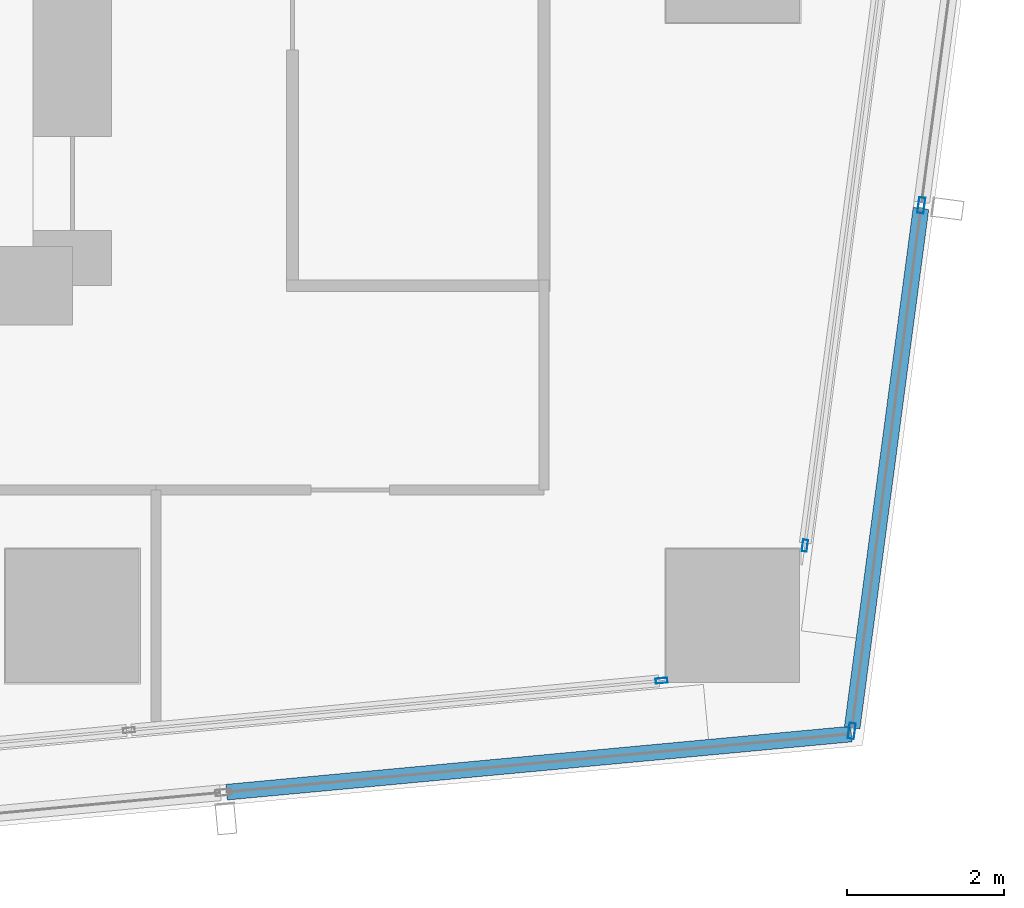
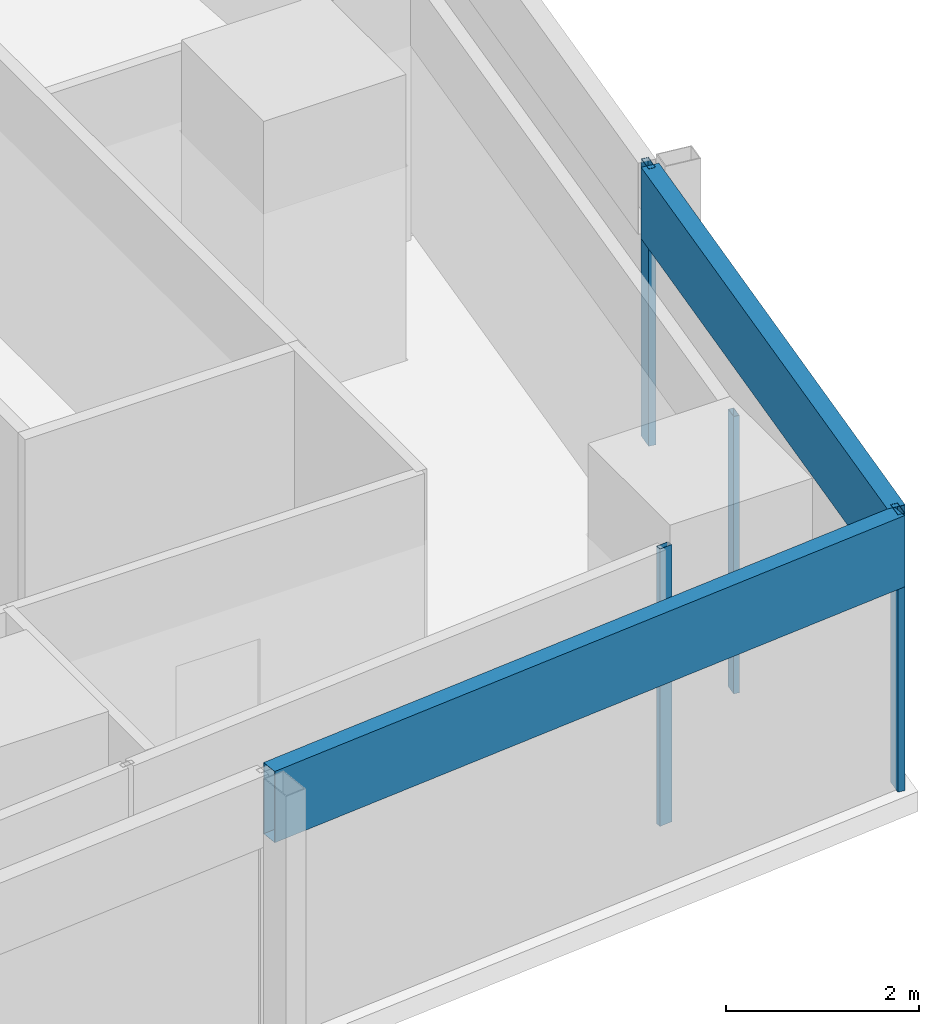
# One storey, part 12 of 39: 6 members, 4 elements without a shape of their own.
"""IFC4 building model written with IfcOpenShell, lengths in metres."""

from ifc_helpers import new_model, si_unit, direction, frame, origin, origin_2d, place, context, subcontext, project, spatial, hollow_rectangle, extrude, material, material_profile, profile_set, type_object, element, aggregate, save


model = new_model("IFC4")

# Units and contexts
model_context = context("Model", 3, precision=1e-05, world=origin(), true_north=direction((0.0, 1.0)))
body_context = subcontext(model_context, "Body", "Model", "MODEL_VIEW")
ifc_project = project(units=[si_unit("LENGTHUNIT", "METRE"), si_unit("AREAUNIT", "SQUARE_METRE"), si_unit("VOLUMEUNIT", "CUBIC_METRE"), si_unit("PLANEANGLEUNIT", "RADIAN"), si_unit("MASSUNIT", "GRAM", prefix="KILO")], contexts=[model_context])

# Site, building, storey
site_placement = place(None, origin())
site = spatial("IfcSite", under=ifc_project, at=site_placement, CompositionType="ELEMENT")
building_placement = place(site_placement, origin())
building = spatial("IfcBuilding", under=site, at=building_placement, Name="Rekha Terrace Tower", CompositionType="ELEMENT")
storey_placement = place(building_placement, frame((0.0, 0.0, 183.949951171875)))
storey = spatial("IfcBuildingStorey", under=building, at=storey_placement, Name="L46", CompositionType="ELEMENT", Elevation=183.949951171875)

# Curtain wall, member
ifc_material_1 = material(Name="Aluminium framing", Category="aluminium")
curtain_wall_type_1 = type_object("IfcCurtainWallType", Name="CW1 double skin inner glazing", PredefinedType="USERDEFINED", material=ifc_material_1)
curtain_wall_1_placement = place(storey_placement, origin())
curtain_wall_1 = element("IfcCurtainWall", 1, at=curtain_wall_1_placement, inside=storey, type_object=curtain_wall_type_1, Name="CW1 double skin inner glazing", ObjectType="DOUBLE SKIN INNER GLAZING", PredefinedType="USERDEFINED")
ifc_material_2 = material(Name="Aluminium mullion section", Category="aluminium")
ifc_material_profile_1 = material_profile(ifc_material_2, hollow_rectangle(XDim=0.06494140625, YDim=0.14990234375, WallThickness=0.00390625, at=origin_2d()), Name="AL RHS 65x150")
ifc_profile_set_1 = profile_set([ifc_material_profile_1], Name="Aluminium mullion section")
member_type_1 = type_object("IfcMemberType", Name="CW1 mullion RHS 65 x 150", PredefinedType="MULLION", material=ifc_profile_set_1)
member_1_placement = place(storey_placement, frame((57.894775390625, 15.9765625, 0.0), z_axis=(0.0, 0.0, 1.0), x_axis=(-0.092708869529, 0.995693258745, 0.0)))
member_1 = element("IfcMember", 2, at=member_1_placement, type_object=member_type_1, Name="CW1 mullion 3", PredefinedType="MULLION", context=body_context, shape_type="SweptSolid", body=[
    extrude(hollow_rectangle(XDim=0.06494140625, YDim=0.14990234375, WallThickness=0.00390625, at=origin_2d()), origin(), (0.0, 0.0, 1.0), 3.5),
])
aggregate(curtain_wall_1, [member_1])

curtain_wall_2_placement = place(storey_placement, origin())
curtain_wall_2 = element("IfcCurtainWall", 3, at=curtain_wall_2_placement, inside=storey, type_object=curtain_wall_type_1, Name="CW1 double skin inner glazing", ObjectType="DOUBLE SKIN INNER GLAZING", PredefinedType="USERDEFINED")
member_2_placement = place(storey_placement, frame((59.7177734375, 17.694091796875, 0.0), z_axis=(0.0, 0.0, 1.0), x_axis=(-0.991342203194, 0.131303603023, 0.0)))
member_2 = element("IfcMember", 4, at=member_2_placement, type_object=member_type_1, Name="CW1 mullion 1", PredefinedType="MULLION", context=body_context, shape_type="SweptSolid", body=[
    extrude(hollow_rectangle(XDim=0.06494140625, YDim=0.14990234375, WallThickness=0.00390625, at=origin_2d()), origin(), (0.0, 0.0, 1.0), 3.5),
])
aggregate(curtain_wall_2, [member_2])

# Curtain wall, members
curtain_wall_type_2 = type_object("IfcCurtainWallType", Name="CW2 double skin outer glazing", PredefinedType="USERDEFINED", material=ifc_material_1)
curtain_wall_3_placement = place(storey_placement, origin())
curtain_wall_3 = element("IfcCurtainWall", 5, at=curtain_wall_3_placement, inside=storey, type_object=curtain_wall_type_2, Name="CW2 double skin outer glazing", ObjectType="DOUBLE SKIN OUTER GLAZING", PredefinedType="USERDEFINED")
ifc_material_profile_2 = material_profile(ifc_material_2, hollow_rectangle(XDim=0.080078125, YDim=0.199951171875, WallThickness=0.00390625, at=origin_2d()), Name="AL RHS 80x200")
ifc_profile_set_2 = profile_set([ifc_material_profile_2], Name="Aluminium mullion section")
member_type_2 = type_object("IfcMemberType", Name="CW2 mullion RHS 80 x 200", PredefinedType="MULLION", material=ifc_profile_set_2)
member_3_placement = place(storey_placement, frame((60.3134765625, 15.337158203125, 0.0), z_axis=(0.0, 0.0, 1.0), x_axis=(-0.991342203187, 0.131303603075, 0.0)))
member_3 = element("IfcMember", 6, at=member_3_placement, type_object=member_type_2, Name="CW2 mullion 1", PredefinedType="MULLION", context=body_context, shape_type="SweptSolid", body=[
    extrude(hollow_rectangle(XDim=0.080078125, YDim=0.199951171875, WallThickness=0.00390625, at=origin_2d()), origin(), (0.0, 0.0, 1.0), 3.5),
])
member_4_placement = place(storey_placement, frame((61.19873046875, 22.021728515625, 0.0), z_axis=(0.0, 0.0, 1.0), x_axis=(-0.991342203187, 0.131303603075, 0.0)))
member_4 = element("IfcMember", 7, at=member_4_placement, type_object=member_type_2, Name="CW2 mullion 2", PredefinedType="MULLION", context=body_context, shape_type="SweptSolid", body=[
    extrude(hollow_rectangle(XDim=0.080078125, YDim=0.199951171875, WallThickness=0.00390625, at=origin_2d()), origin(), (0.0, 0.0, 1.0), 3.5),
])

# Curtain wall, member
curtain_wall_4_placement = place(storey_placement, origin())
curtain_wall_4 = element("IfcCurtainWall", 8, at=curtain_wall_4_placement, inside=storey, type_object=curtain_wall_type_2, Name="CW2 double skin outer glazing", ObjectType="DOUBLE SKIN OUTER GLAZING", PredefinedType="USERDEFINED")
ifc_material_3 = material(Name="Insulated aluminium spandrel box", Category="aluminium")
ifc_material_profile_3 = material_profile(ifc_material_3, hollow_rectangle(XDim=0.199951171875, YDim=0.89990234375, WallThickness=0.0029296875, at=origin_2d()), Name="AL SPANDREL BOX 200x900")
ifc_profile_set_3 = profile_set([ifc_material_profile_3], Name="Insulated aluminium spandrel box")
member_type_3 = type_object("IfcMemberType", Name="CW2 spandrel transom 200 x 900", PredefinedType="USERDEFINED", material=ifc_profile_set_3)
member_5_placement = place(storey_placement, frame((52.36181640625, 14.5576171875, 3.050048828125), z_axis=(0.99569478362, 0.092692490917, 0.0), x_axis=(-0.092692490917, 0.99569478362, 0.0)))
member_5 = element("IfcMember", 9, at=member_5_placement, type_object=member_type_3, Name="CW2 spandrel transom 2", ObjectType="TRANSOM", PredefinedType="USERDEFINED", context=body_context, shape_type="SweptSolid", body=[
    extrude(hollow_rectangle(XDim=0.199951171875, YDim=0.89990234375, WallThickness=0.0029296875, at=origin_2d()), origin(), (0.0, 0.0, 1.0), 7.980712890625),
])
aggregate(curtain_wall_4, [member_5])

# Member
member_6_placement = place(storey_placement, frame((60.318603515625, 15.376708984375, 3.050048828125), z_axis=(0.131318864981, 0.991340181623, 0.0), x_axis=(-0.991340181623, 0.131318864981, 0.0)))
member_6 = element("IfcMember", 10, at=member_6_placement, type_object=member_type_3, Name="CW2 spandrel transom 1", ObjectType="TRANSOM", PredefinedType="USERDEFINED", context=body_context, shape_type="SweptSolid", body=[
    extrude(hollow_rectangle(XDim=0.199951171875, YDim=0.89990234375, WallThickness=0.0029296875, at=origin_2d()), origin(), (0.0, 0.0, 1.0), 6.6630859375),
])

aggregate(curtain_wall_3, [member_3, member_4, member_6])

save(model, "model.ifc")
